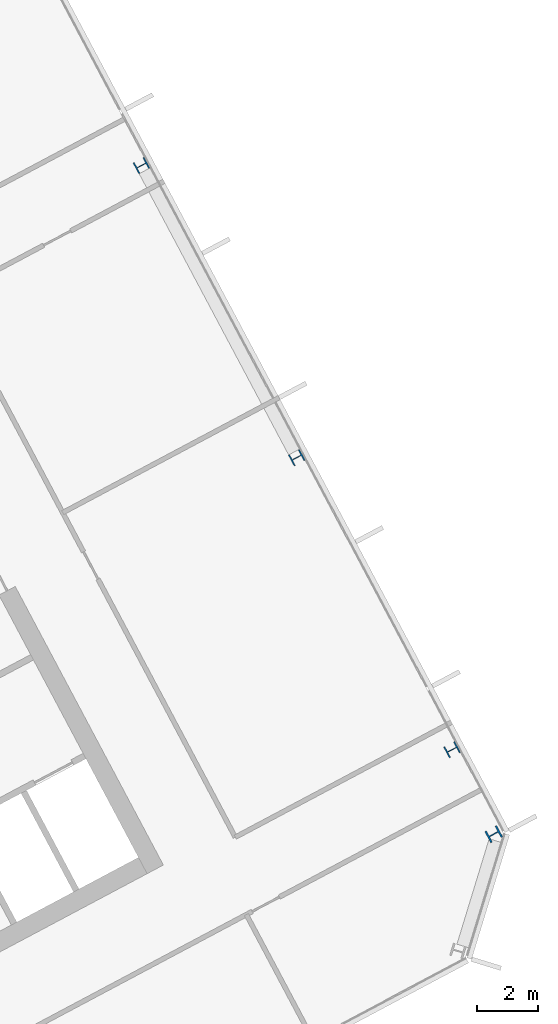
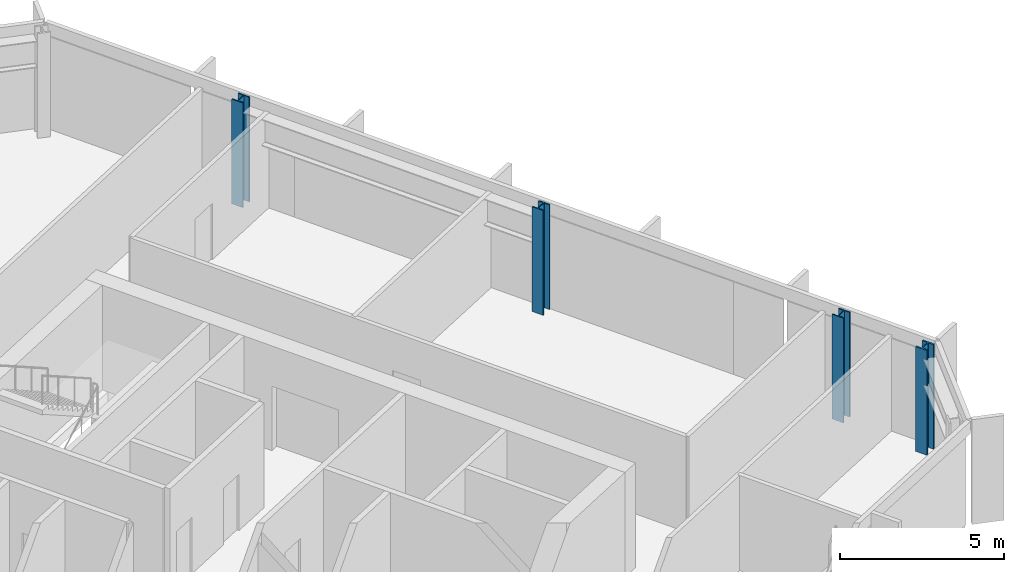
# One storey, part 7 of 26: 4 columns.
"""IFC4 building model written with IfcOpenShell, lengths in metres."""

from ifc_helpers import new_model, si_unit, direction, frame, origin, origin_2d, place, context, subcontext, project, spatial, i_section, extrude, material, material_profile, profile_set, type_object, element, save


model = new_model("IFC4")

# Units and contexts
model_context = context("Model", 3, precision=1e-05, world=origin(), true_north=direction((0.0, 1.0)))
body_context = subcontext(model_context, "Body", "Model", "MODEL_VIEW")
ifc_project = project(units=[si_unit("LENGTHUNIT", "METRE"), si_unit("AREAUNIT", "SQUARE_METRE"), si_unit("VOLUMEUNIT", "CUBIC_METRE"), si_unit("PLANEANGLEUNIT", "RADIAN"), si_unit("MASSUNIT", "GRAM", prefix="KILO")], contexts=[model_context])

# Site, building, storey
site_placement = place(None, origin())
site = spatial("IfcSite", under=ifc_project, at=site_placement, CompositionType="ELEMENT")
building_placement = place(site_placement, origin())
building = spatial("IfcBuilding", under=site, at=building_placement, Name="Cormorant Relay Tower", CompositionType="ELEMENT")
storey_placement = place(building_placement, frame((0.0, 0.0, 236.39990234375)))
storey = spatial("IfcBuildingStorey", under=building, at=storey_placement, Name="L52", CompositionType="ELEMENT", Elevation=236.39990234375)

# Columns
ifc_material_1 = material(Name="Steel ASTM A992 (Fy 345 MPa)", Category="steel")
ifc_material_profile_1 = material_profile(ifc_material_1, i_section(OverallWidth=0.40380859375, OverallDepth=0.406494140625, WebThickness=0.027099609375, FlangeThickness=0.043701171875, FilletRadius=0.01513671875, at=origin_2d()), Name="W360x347")
ifc_profile_set_1 = profile_set([ifc_material_profile_1], Name="Steel ASTM A992 (Fy 345 MPa)")
column_type_1 = type_object("IfcColumnType", Name="Column W360x347", PredefinedType="COLUMN", material=ifc_profile_set_1)
for number, where, z_axis, x_axis, name in (
    (1, (47.26611328125, 12.89990234375, 0.0), (0.0, 0.0, 1.0), (-0.469471562786, 0.882947592859, 0.0), "Column L52-026"),
    (2, (42.196044921875, 22.43603515625, 0.0), (0.0, 0.0, 1.0), (-0.469471562786, 0.882947592859, 0.0), "Column L52-029"),
    (3, (37.1259765625, 31.971923828125, 0.0), (0.0, 0.0, 1.0), (-0.469471562786, 0.882947592859, 0.0), "Column L52-036"),
):
    element("IfcColumn", number, at=place(storey_placement, frame(where, z_axis=z_axis, x_axis=x_axis)), inside=storey, type_object=column_type_1, Name=name, PredefinedType="COLUMN", context=body_context, shape_type="SweptSolid", body=[
        extrude(i_section(OverallWidth=0.40380859375, OverallDepth=0.406494140625, WebThickness=0.027099609375, FlangeThickness=0.043701171875, FilletRadius=0.01513671875, at=origin_2d()), origin(), (0.0, 0.0, 1.0), 3.900146484375),
    ])
ifc_material_2 = material(Name="Steel ASTM A992 (Fy 345 MPa)", Category="steel")
ifc_material_profile_2 = material_profile(ifc_material_2, i_section(OverallWidth=0.41162109375, OverallDepth=0.434326171875, WebThickness=0.035888671875, FlangeThickness=0.057373046875, FilletRadius=0.01513671875, at=origin_2d()), Name="W360x463")
ifc_profile_set_2 = profile_set([ifc_material_profile_2], Name="Steel ASTM A992 (Fy 345 MPa)")
column_type_2 = type_object("IfcColumnType", Name="Column W360x463", PredefinedType="COLUMN", material=ifc_profile_set_2)
column_placement = place(storey_placement, frame((48.6259765625, 10.14208984375, 0.0), z_axis=(0.0, 0.0, 1.0), x_axis=(-0.469471562786, 0.882947592859, 0.0)))
element("IfcColumn", 4, at=column_placement, inside=storey, type_object=column_type_2, Name="Column L52-021", PredefinedType="COLUMN", context=body_context, shape_type="SweptSolid", body=[
    extrude(i_section(OverallWidth=0.41162109375, OverallDepth=0.434326171875, WebThickness=0.035888671875, FlangeThickness=0.057373046875, FilletRadius=0.01513671875, at=origin_2d()), origin(), (0.0, 0.0, 1.0), 3.900146484375),
])

save(model, "model.ifc")
